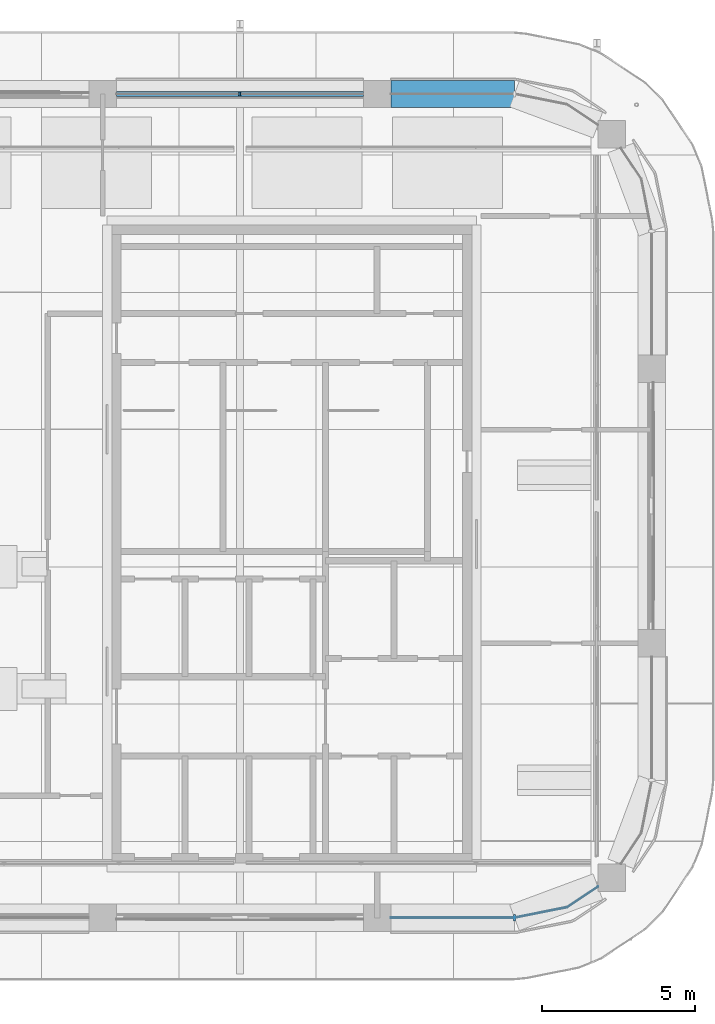
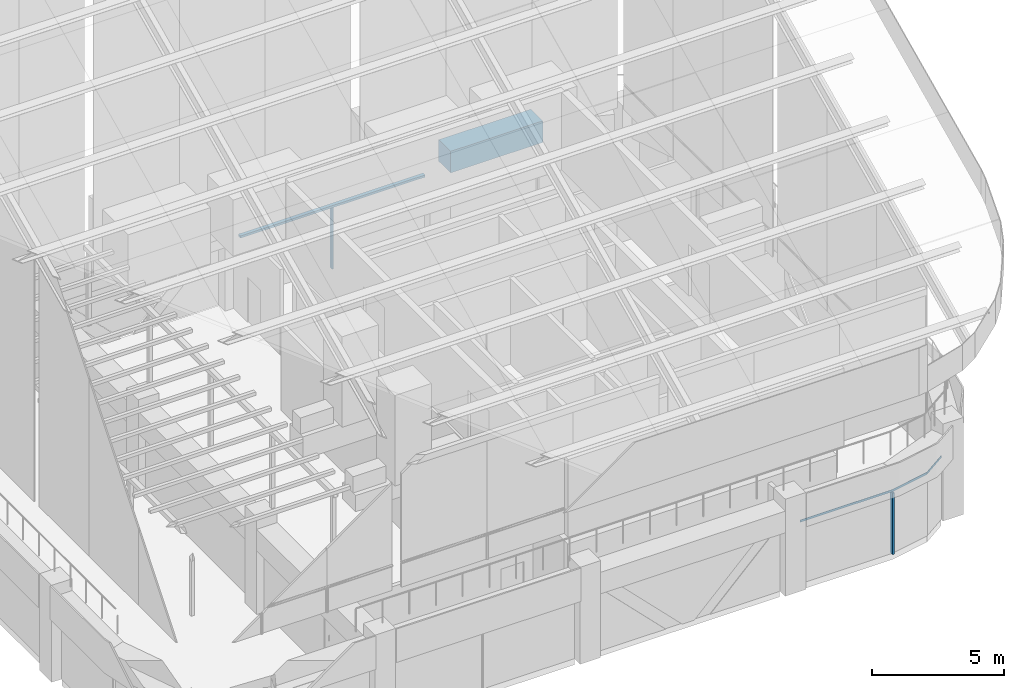
# One storey, part 16 of 31: 4 members, 1 beam, 2 elements without a shape of their own.
"""IFC4 building model written with IfcOpenShell, lengths in metres."""

import ifcopenshell
import ifcopenshell.guid

model = None  # the IFC model being written
_history = None  # IfcOwnerHistory: only IFC2X3 demands one
_inside = {}  # id of a spatial element -> (the spatial element, [elements in it])
_under = {}  # id of a project, library or spatial element -> (it, [spatial elements below it])
_declared = {}  # id of a project -> (the project, [libraries it declares])
_typed = {}  # id of a type object -> (the type object, [elements of that type])
_made_of = {}  # id of a material, layer set ... -> (it, [elements and type objects made of it])


def new_model(schema):
    """Start an empty IFC model of exactly this schema.

    Asked for "IFC4X3", IfcOpenShell would pick the latest addendum, in which some entities
    have other attributes; the version numbers below select the first issue.
    IFC2X3 requires an IfcOwnerHistory on every rooted entity: one is made here for all.
    """
    global model, _history
    if schema == "IFC4X3":
        model = ifcopenshell.file(schema_version=(4, 3, 0, 0))
    else:
        model = ifcopenshell.file(schema=schema)
    _inside.clear()
    _under.clear()
    _declared.clear()
    _typed.clear()
    _made_of.clear()
    _history = None
    if model.schema == "IFC2X3":
        org = make("IfcOrganization", Name="unknown")
        user = make(
            "IfcPersonAndOrganization",
            ThePerson=make("IfcPerson", FamilyName="unknown"),
            TheOrganization=org,
        )
        app = make(
            "IfcApplication",
            ApplicationDeveloper=org,
            Version="unknown",
            ApplicationFullName="unknown",
            ApplicationIdentifier="unknown",
        )
        _history = make(
            "IfcOwnerHistory",
            OwningUser=user,
            OwningApplication=app,
            ChangeAction="ADDED",
            CreationDate=0,
        )
    return model


def make(cls, **values):
    """One entity of the class cls with the attributes given. An attribute that is None is left unset."""
    return model.create_entity(
        cls, **{name: value for name, value in values.items() if value is not None}
    )


def rooted(cls, **values):
    """An entity with a GlobalId (a new one), such as an element, a storey or a relation."""
    return make(cls, GlobalId=ifcopenshell.guid.new(), OwnerHistory=_history, **values)


def si_unit(unit_type, name, prefix=None):
    """IfcSIUnit, for example si_unit("LENGTHUNIT", "METRE", prefix="MILLI")."""
    return make("IfcSIUnit", UnitType=unit_type, Prefix=prefix, Name=name)


def assignment(units):
    """IfcUnitAssignment: the units of a project."""
    return None if units is None else make("IfcUnitAssignment", Units=units)


def point(xyz):
    """IfcCartesianPoint."""
    return None if xyz is None else make("IfcCartesianPoint", Coordinates=xyz)


def direction(xyz):
    """IfcDirection."""
    return None if xyz is None else make("IfcDirection", DirectionRatios=xyz)


def frame(location, z_axis=None, x_axis=None):
    """IfcAxis2Placement3D, a coordinate frame: its origin and axes. An axis left out is left unset."""
    return make(
        "IfcAxis2Placement3D",
        Location=point(location),
        Axis=direction(z_axis),
        RefDirection=direction(x_axis),
    )


def frame_2d(location, x_axis=None):
    """IfcAxis2Placement2D, a coordinate frame in the plane: its origin and x axis."""
    return make(
        "IfcAxis2Placement2D", Location=point(location), RefDirection=direction(x_axis)
    )


def origin():
    """The frame at (0, 0, 0) with its axes left unset."""
    return frame((0.0, 0.0, 0.0))


def origin_2d():
    """The frame at (0, 0) in the plane with its x axis left unset."""
    return frame_2d((0.0, 0.0))


def place(relative_to, where):
    """IfcLocalPlacement: puts the frame where relative to a parent placement (None: the world)."""
    return make(
        "IfcLocalPlacement", PlacementRelTo=relative_to, RelativePlacement=where
    )


def context(
    kind, dimensions, precision=None, world=None, true_north=None, identifier=None
):
    """IfcGeometricRepresentationContext, for example the 3D "Model" context."""
    return make(
        "IfcGeometricRepresentationContext",
        ContextIdentifier=identifier,
        ContextType=kind,
        CoordinateSpaceDimension=dimensions,
        Precision=precision,
        WorldCoordinateSystem=world,
        TrueNorth=true_north,
    )


def subcontext(parent, identifier, kind, view, scale=None):
    """IfcGeometricRepresentationSubContext, for example "Body" below "Model"."""
    return make(
        "IfcGeometricRepresentationSubContext",
        ContextIdentifier=identifier,
        ContextType=kind,
        ParentContext=parent,
        TargetScale=scale,
        TargetView=view,
    )


def project(units=None, contexts=None):
    """IfcProject with its units and contexts."""
    return rooted(
        "IfcProject",
        Name="project",
        RepresentationContexts=contexts,
        UnitsInContext=assignment(units),
    )


def spatial(cls, under=None, at=None, **own):
    """A site, building, storey or space (cls), placed at a placement, below another one or the project."""
    s = rooted(cls, ObjectPlacement=at, **own)
    if under is not None:
        _under.setdefault(under.id(), (under, []))[1].append(s)
    return s


def polyline(points):
    """IfcPolyline through the points."""
    return make("IfcPolyline", Points=[point(p) for p in points])


def profile(cls, at=None, kind="AREA", **sizes):
    """A parametric profile (cls). Its sizes go by their IFC names, for example OverallWidth=200.0."""
    return make(cls, ProfileType=kind, Position=at, **sizes)


def rectangle(**sizes):
    """IfcRectangleProfileDef."""
    return profile("IfcRectangleProfileDef", **sizes)


def outline(outer, holes=None, kind="AREA"):
    """IfcArbitraryClosedProfileDef: a profile drawn as a closed curve; with holes, ...WithVoids."""
    if holes is None:
        return make("IfcArbitraryClosedProfileDef", ProfileType=kind, OuterCurve=outer)
    return make(
        "IfcArbitraryProfileDefWithVoids",
        ProfileType=kind,
        OuterCurve=outer,
        InnerCurves=holes,
    )


def extrude(swept, where, along, depth):
    """IfcExtrudedAreaSolid: the profile swept, set in the frame where, extruded along a direction by depth."""
    return make(
        "IfcExtrudedAreaSolid",
        SweptArea=swept,
        Position=where,
        ExtrudedDirection=direction(along),
        Depth=depth,
    )


def shape(context_of_items, identifier, shape_type, items):
    """IfcShapeRepresentation: the items that make up one representation, for example the "Body"."""
    return make(
        "IfcShapeRepresentation",
        ContextOfItems=context_of_items,
        RepresentationIdentifier=identifier,
        RepresentationType=shape_type,
        Items=items,
    )


def material(Name=None, Category=None):
    """IfcMaterial."""
    return make("IfcMaterial", Name=Name, Category=Category)


def material_profile(
    of_material, cross_section, Name=None, Category=None, Priority=None
):
    """IfcMaterialProfile: a cross section and its material."""
    return make(
        "IfcMaterialProfile",
        Name=Name,
        Material=of_material,
        Profile=cross_section,
        Priority=Priority,
        Category=Category,
    )


def profile_set(profiles, Name=None, composite=None):
    """IfcMaterialProfileSet."""
    return make(
        "IfcMaterialProfileSet",
        Name=Name,
        MaterialProfiles=profiles,
        CompositeProfile=composite,
    )


def made_of(thing, what):
    """Note that an element or type object is made of a material, layer set ...; save() writes the relation."""
    if what is not None:
        _made_of.setdefault(what.id(), (what, []))[1].append(thing)
    return thing


def type_object(cls, material=None, **own):
    """A type object (cls), such as IfcWallType, which elements share."""
    return made_of(rooted(cls, **own), material)


def element(
    cls,
    number,
    at=None,
    inside=None,
    cuts=None,
    type_object=None,
    material=None,
    context=None,
    identifier="Body",
    shape_type=None,
    held_by="IfcProductDefinitionShape",
    body=None,
    shapes=None,
    **own,
):
    """One element of the class cls, such as IfcWall. Its Tag is "e" and its number.

    at: its placement. inside: the storey or other place that contains it. cuts: it is an
    opening in that element (IfcRelVoidsElement). A single representation is given by context,
    identifier, shape_type and body (its items); several are given by shapes. held_by: the class
    of the entity that holds the representations. save() writes the other relations.
    """
    e = rooted(cls, Tag="e%d" % number, ObjectPlacement=at, **own)
    if body is not None:
        shapes = [shape(context, identifier, shape_type, body)]
    if shapes is not None:
        e.Representation = make(held_by, Representations=shapes)
    if inside is not None:
        _inside.setdefault(inside.id(), (inside, []))[1].append(e)
    if cuts is not None:
        rooted(
            "IfcRelVoidsElement", RelatingBuildingElement=cuts, RelatedOpeningElement=e
        )
    if type_object is not None:
        _typed.setdefault(type_object.id(), (type_object, []))[1].append(e)
    return made_of(e, material)


def aggregate(whole, parts):
    """IfcRelAggregates: a whole, such as a stair, and the parts it consists of."""
    return rooted("IfcRelAggregates", RelatingObject=whole, RelatedObjects=parts)


def save(model, path):
    """Write the relations noted so far, then the file.

    IfcRelAggregates (storeys below a building ...), IfcRelContainedInSpatialStructure (elements
    in a storey), IfcRelDefinesByType, IfcRelAssociatesMaterial and IfcRelDeclares: one each for
    every whole, place, type object, material and project.
    """
    for whole, parts in _under.values():
        aggregate(whole, parts)
    for where, things in _inside.values():
        rooted(
            "IfcRelContainedInSpatialStructure",
            RelatedElements=things,
            RelatingStructure=where,
        )
    for kind, things in _typed.values():
        rooted("IfcRelDefinesByType", RelatedObjects=things, RelatingType=kind)
    for what, things in _made_of.values():
        rooted("IfcRelAssociatesMaterial", RelatedObjects=things, RelatingMaterial=what)
    for by, libraries in _declared.values():
        rooted("IfcRelDeclares", RelatingContext=by, RelatedDefinitions=libraries)
    model.write(path)


model = new_model("IFC4")

# Units and contexts
model_context = context("Model", 3, precision=1e-05, world=origin(), true_north=direction((0.0, 1.0)))
body_context = subcontext(model_context, "Body", "Model", "MODEL_VIEW")
ifc_project = project(units=[si_unit("LENGTHUNIT", "METRE"), si_unit("AREAUNIT", "SQUARE_METRE"), si_unit("VOLUMEUNIT", "CUBIC_METRE"), si_unit("PLANEANGLEUNIT", "RADIAN"), si_unit("MASSUNIT", "GRAM", prefix="KILO")], contexts=[model_context])

# Site, building, storey
site_placement = place(None, origin())
site = spatial("IfcSite", under=ifc_project, at=site_placement, CompositionType="ELEMENT")
building_placement = place(site_placement, origin())
building = spatial("IfcBuilding", under=site, at=building_placement, Name="Tessera Arch", CompositionType="ELEMENT")
storey_placement = place(building_placement, frame((0.0, 0.0, 320.699951171875)))
storey = spatial("IfcBuildingStorey", under=building, at=storey_placement, Name="L77", CompositionType="ELEMENT", Elevation=320.699951171875)

# Curtain wall, members
ifc_material_1 = material(Name="CW1 curtain wall")
curtain_wall_type_1 = type_object("IfcCurtainWallType", Name="CW1 curtain wall", PredefinedType="NOTDEFINED", material=ifc_material_1)
curtain_wall_1_placement = place(storey_placement, origin())
curtain_wall_1 = element("IfcCurtainWall", 1, at=curtain_wall_1_placement, inside=storey, type_object=curtain_wall_type_1, Name="CW1 curtain wall N54.18/1 L77", PredefinedType="NOTDEFINED")
ifc_material_2 = material(Name="Anodised aluminium pale metal", Category="aluminium")
ifc_material_profile_1 = material_profile(ifc_material_2, rectangle(XDim=0.159912109375, YDim=0.06005859375, at=origin_2d()), Name="AL 60x160")
ifc_profile_set_1 = profile_set([ifc_material_profile_1], Name="Anodised aluminium pale metal")
member_type_1 = type_object("IfcMemberType", Name="CW1 mullion", PredefinedType="MULLION", material=ifc_profile_set_1)
member_1_placement = place(storey_placement, frame((40.5, 54.0, 0.0), z_axis=(0.0, 0.0, 1.0), x_axis=(0.0, -1.0, 0.0)))
member_1 = element("IfcMember", 2, at=member_1_placement, type_object=member_type_1, Name="CW1 mullion N54.18/1 1", PredefinedType="MULLION", context=body_context, shape_type="SweptSolid", body=[
    extrude(rectangle(XDim=0.159912109375, YDim=0.06005859375, at=origin_2d()), origin(), (0.0, 0.0, 1.0), 2.85009765625),
])
ifc_material_3 = material(Name="Anodised aluminium pale metal", Category="aluminium")
ifc_material_profile_2 = material_profile(ifc_material_3, rectangle(XDim=0.159912109375, YDim=0.10009765625, at=origin_2d()), Name="AL 160x100")
ifc_profile_set_2 = profile_set([ifc_material_profile_2], Name="Anodised aluminium pale metal")
member_type_2 = type_object("IfcMemberType", Name="CW1 transom", PredefinedType="USERDEFINED", material=ifc_profile_set_2)
member_2_placement = place(storey_placement, frame((44.550048828125, 54.0, 2.900146484375), z_axis=(-1.0, 0.0, 0.0), x_axis=(0.0, -1.0, 0.0)))
member_2 = element("IfcMember", 3, at=member_2_placement, type_object=member_type_2, Name="CW1 transom N54.18/1 1.1", ObjectType="TRANSOM", PredefinedType="USERDEFINED", context=body_context, shape_type="SweptSolid", body=[
    extrude(rectangle(XDim=0.159912109375, YDim=0.10009765625, at=origin_2d()), origin(), (0.0, 0.0, 1.0), 8.10009765625),
])
aggregate(curtain_wall_1, [member_1, member_2])

ifc_material_4 = material(Name="CW2 curtain wall")
curtain_wall_type_2 = type_object("IfcCurtainWallType", Name="CW2 curtain wall", PredefinedType="NOTDEFINED", material=ifc_material_4)
curtain_wall_2_placement = place(storey_placement, origin())
curtain_wall_2 = element("IfcCurtainWall", 4, at=curtain_wall_2_placement, inside=storey, type_object=curtain_wall_type_2, Name="CW2 curtain wall S27.18/3 L77", PredefinedType="NOTDEFINED")
ifc_material_5 = material(Name="Anodised aluminium pale metal", Category="aluminium")
ifc_material_profile_3 = material_profile(ifc_material_5, rectangle(XDim=0.199951171875, YDim=0.080078125, at=origin_2d()), Name="AL 80x200")
ifc_profile_set_3 = profile_set([ifc_material_profile_3], Name="Anodised aluminium pale metal")
member_type_3 = type_object("IfcMemberType", Name="CW2 mullion", PredefinedType="MULLION", material=ifc_profile_set_3)
member_3_placement = place(storey_placement, frame((49.5, 27.0, 0.0), z_axis=(0.0, 0.0, 1.0), x_axis=(0.0, 1.0, 0.0)))
member_3 = element("IfcMember", 5, at=member_3_placement, type_object=member_type_3, Name="CW2 mullion S27.18/3 1", PredefinedType="MULLION", context=body_context, shape_type="SweptSolid", body=[
    extrude(rectangle(XDim=0.199951171875, YDim=0.080078125, at=origin_2d()), origin(), (0.0, 0.0, 1.0), 2.85009765625),
])
ifc_material_6 = material(Name="Anodised aluminium pale metal", Category="aluminium")
ifc_material_profile_4 = material_profile(ifc_material_6, rectangle(XDim=0.199951171875, YDim=0.10009765625, at=origin_2d()), Name="AL 200x100")
ifc_profile_set_4 = profile_set([ifc_material_profile_4], Name="Anodised aluminium pale metal")
member_type_4 = type_object("IfcMemberType", Name="CW2 transom", PredefinedType="USERDEFINED", material=ifc_profile_set_4)
member_4_placement = place(storey_placement, frame((0.0, 0.0, 2.85009765625)))
member_4 = element("IfcMember", 6, at=member_4_placement, type_object=member_type_4, Name="CW2 transom S27.18/3 1", ObjectType="TRANSOM", PredefinedType="USERDEFINED", context=body_context, shape_type="SweptSolid", body=[
    extrude(outline(polyline([(49.4990234375, 27.010009765625), (45.449951171875, 27.010009765625), (45.449951171875, 26.989990234375), (49.5009765625, 26.989990234375), (51.22607421875, 27.3330078125), (52.237548828125, 28.009033203125), (52.2265625, 28.025634765625), (51.21826171875, 27.351806640625), (49.4990234375, 27.010009765625)])), origin(), (0.0, 0.0, 1.0), 0.099853515625),
])
aggregate(curtain_wall_2, [member_3, member_4])

# Beam
ifc_material_7 = material(Name="Concrete C50/60", Category="concrete")
ifc_material_profile_5 = material_profile(ifc_material_7, rectangle(XDim=0.89990234375, YDim=1.0, at=origin_2d()), Name="RC spandrel beam 900 x 1000 Concrete C50/60")
ifc_profile_set_5 = profile_set([ifc_material_profile_5], Name="Concrete C50/60")
beam_type = type_object("IfcBeamType", Name="RC spandrel beam 900 x 1000 Concrete C50/60", PredefinedType="BEAM", material=ifc_profile_set_5)
beam_placement = place(storey_placement, frame((49.5, 54.0, 3.449951171875), z_axis=(-1.0, 0.0, 0.0), x_axis=(0.0, -1.0, 0.0)))
element("IfcBeam", 7, at=beam_placement, inside=storey, type_object=beam_type, Name="Spandrel beam L77 N54.18/0.2", PredefinedType="BEAM", context=body_context, shape_type="SweptSolid", body=[
    extrude(rectangle(XDim=0.89990234375, YDim=1.0, at=origin_2d()), origin(), (0.0, 0.0, 1.0), 4.050048828125),
])

save(model, "model.ifc")
